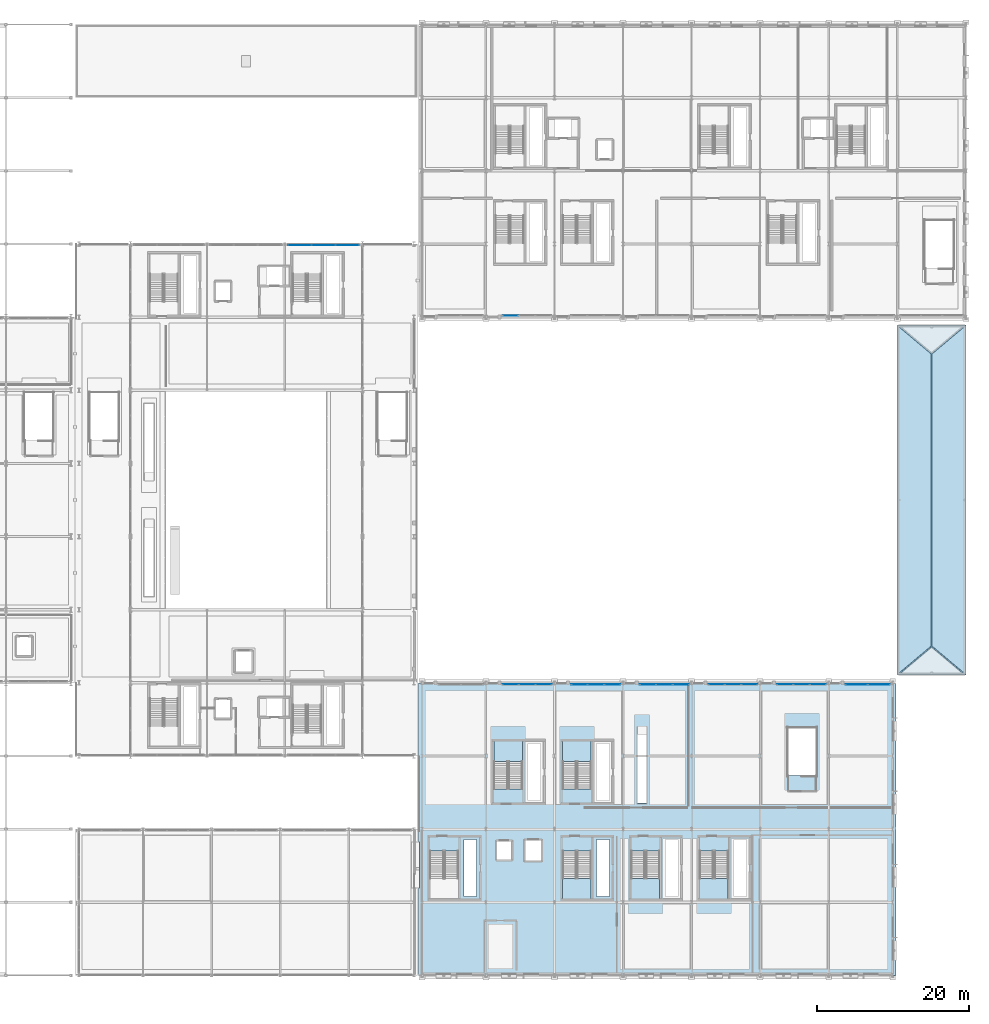
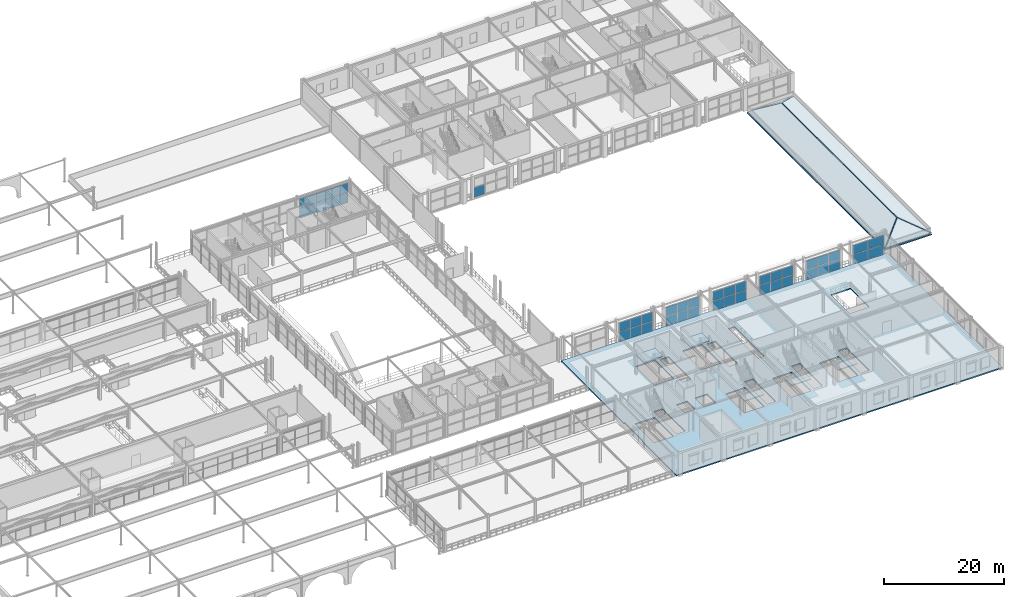
# One storey, part 63 of 125: 41 plates, 10 slabs, 13 elements without a shape of their own.
"""IFC4 building model written with IfcOpenShell, lengths in metres."""

from ifc_helpers import new_model, si_unit, direction, frame, origin, origin_2d, place, context, subcontext, project, spatial, polyline, rectangle, outline, extrude, material, layer, layer_set, type_object, element, aggregate, save


model = new_model("IFC4")

# Units and contexts
model_context = context("Model", 3, precision=1e-05, world=origin(), true_north=direction((0.0, 1.0)))
body_context = subcontext(model_context, "Body", "Model", "MODEL_VIEW")
ifc_project = project(units=[si_unit("LENGTHUNIT", "METRE"), si_unit("AREAUNIT", "SQUARE_METRE"), si_unit("VOLUMEUNIT", "CUBIC_METRE"), si_unit("PLANEANGLEUNIT", "RADIAN"), si_unit("MASSUNIT", "GRAM", prefix="KILO")], contexts=[model_context])

# Site, building, storey
site_placement = place(None, origin())
site = spatial("IfcSite", under=ifc_project, at=site_placement, CompositionType="ELEMENT")
building_placement = place(site_placement, origin())
building = spatial("IfcBuilding", under=site, at=building_placement, Name="Myrtia Square Station", CompositionType="ELEMENT")
storey_placement = place(building_placement, frame((0.0, 0.0, 6.0)))
storey = spatial("IfcBuildingStorey", under=building, at=storey_placement, Name="L01", CompositionType="ELEMENT", Elevation=6.0)

# Curtain wall, plates
ifc_material_1 = material(Name="Dark bronze anodised aluminium", Category="aluminium")
ifc_layer_1 = layer(ifc_material_1, 0.159912109375, Name="Dark bronze anodised aluminium")
ifc_layer_set_1 = layer_set([ifc_layer_1], Name="Dark bronze anodised aluminium")
curtain_wall_type_1 = type_object("IfcCurtainWallType", Name="CW-TYPE-11-943x415", PredefinedType="USERDEFINED", material=ifc_layer_set_1)
curtain_wall_1_placement = place(storey_placement, origin())
curtain_wall_1 = element("IfcCurtainWall", 1, at=curtain_wall_1_placement, inside=storey, type_object=curtain_wall_type_1, Name="Concourse curtain wall CW-L01-046", ObjectType="CONCOURSE CURTAIN WALL", PredefinedType="USERDEFINED")
ifc_material_2 = material(Name="Tinted low-E solar control glass", Category="glass")
ifc_layer_2 = layer(ifc_material_2, 0.02392578125, Name="Tinted low-E solar control glass")
ifc_layer_set_2 = layer_set([ifc_layer_2], Name="Tinted low-E solar control glass")
plate_type_1 = type_object("IfcPlateType", Name="CWP-GLZ-24", PredefinedType="CURTAIN_PANEL", material=ifc_layer_set_2)
plate_1_placement = place(storey_placement, frame((101.560302734375, 95.85009765625, 0.074951171875), z_axis=(0.0, 0.0, 1.0), x_axis=(1.0, 0.0, 0.0)))
plate_1 = element("IfcPlate", 2, at=plate_1_placement, type_object=plate_type_1, Name="CW-046 panel 1.1", PredefinedType="CURTAIN_PANEL", context=body_context, shape_type="SweptSolid", body=[
    extrude(rectangle(XDim=3.03076171875, YDim=0.02392578125, at=origin_2d()), origin(), (0.0, 0.0, 1.0), 2.04541015625),
])
plate_2_placement = place(storey_placement, frame((101.560302734375, 95.85009765625, 2.195556640625), z_axis=(0.0, 0.0, 1.0), x_axis=(1.0, 0.0, 0.0)))
plate_2 = element("IfcPlate", 3, at=plate_2_placement, type_object=plate_type_1, Name="CW-046 panel 1.2", PredefinedType="CURTAIN_PANEL", context=body_context, shape_type="SweptSolid", body=[
    extrude(rectangle(XDim=3.03076171875, YDim=0.02392578125, at=origin_2d()), origin(), (0.0, 0.0, 1.0), 1.87939453125),
])
plate_3_placement = place(storey_placement, frame((104.68505859375, 95.85009765625, 0.074951171875), z_axis=(0.0, 0.0, 1.0), x_axis=(1.0, 0.0, 0.0)))
plate_3 = element("IfcPlate", 4, at=plate_3_placement, type_object=plate_type_1, Name="CW-046 panel 2.1", PredefinedType="CURTAIN_PANEL", context=body_context, shape_type="SweptSolid", body=[
    extrude(rectangle(XDim=3.068359375, YDim=0.02392578125, at=origin_2d()), origin(), (0.0, 0.0, 1.0), 2.04541015625),
])
plate_4_placement = place(storey_placement, frame((104.68505859375, 95.85009765625, 2.195556640625), z_axis=(0.0, 0.0, 1.0), x_axis=(1.0, 0.0, 0.0)))
plate_4 = element("IfcPlate", 5, at=plate_4_placement, type_object=plate_type_1, Name="CW-046 panel 2.2", PredefinedType="CURTAIN_PANEL", context=body_context, shape_type="SweptSolid", body=[
    extrude(rectangle(XDim=3.068359375, YDim=0.02392578125, at=origin_2d()), origin(), (0.0, 0.0, 1.0), 1.87939453125),
])
plate_5_placement = place(storey_placement, frame((107.8095703125, 95.85009765625, 0.074951171875), z_axis=(0.0, 0.0, 1.0), x_axis=(1.0, 0.0, 0.0)))
plate_5 = element("IfcPlate", 6, at=plate_5_placement, type_object=plate_type_1, Name="CW-046 panel 3.1", PredefinedType="CURTAIN_PANEL", context=body_context, shape_type="SweptSolid", body=[
    extrude(rectangle(XDim=3.03076171875, YDim=0.02392578125, at=origin_2d()), origin(), (0.0, 0.0, 1.0), 2.04541015625),
])
plate_6_placement = place(storey_placement, frame((107.8095703125, 95.85009765625, 2.195556640625), z_axis=(0.0, 0.0, 1.0), x_axis=(1.0, 0.0, 0.0)))
plate_6 = element("IfcPlate", 7, at=plate_6_placement, type_object=plate_type_1, Name="CW-046 panel 3.2", PredefinedType="CURTAIN_PANEL", context=body_context, shape_type="SweptSolid", body=[
    extrude(rectangle(XDim=3.03076171875, YDim=0.02392578125, at=origin_2d()), origin(), (0.0, 0.0, 1.0), 1.87939453125),
])
aggregate(curtain_wall_1, [plate_1, plate_2, plate_3, plate_4, plate_5, plate_6])

ifc_layer_3 = layer(ifc_material_1, 0.159912109375, Name="Dark bronze anodised aluminium")
ifc_layer_set_3 = layer_set([ifc_layer_3], Name="Dark bronze anodised aluminium")
curtain_wall_type_2 = type_object("IfcCurtainWallType", Name="CW-TYPE-26-655x400", PredefinedType="USERDEFINED", material=ifc_layer_set_3)
curtain_wall_2_placement = place(storey_placement, origin())
curtain_wall_2 = element("IfcCurtainWall", 8, at=curtain_wall_2_placement, inside=storey, type_object=curtain_wall_type_2, Name="Concourse curtain wall CW-L01-094", ObjectType="CONCOURSE CURTAIN WALL", PredefinedType="USERDEFINED")
plate_7_placement = place(storey_placement, frame((156.260498046875, 38.199951171875, 0.0751953125), z_axis=(0.0, 0.0, 1.0), x_axis=(1.0, 0.0, 0.0)))
plate_7 = element("IfcPlate", 9, at=plate_7_placement, type_object=plate_type_1, Name="CW-094 panel 1.1", PredefinedType="CURTAIN_PANEL", context=body_context, shape_type="SweptSolid", body=[
    extrude(rectangle(XDim=2.07080078125, YDim=0.02392578125, at=origin_2d()), origin(), (0.0, 0.0, 1.0), 1.967529296875),
])
plate_8_placement = place(storey_placement, frame((156.260498046875, 38.199951171875, 2.117431640625), z_axis=(0.0, 0.0, 1.0), x_axis=(1.0, 0.0, 0.0)))
plate_8 = element("IfcPlate", 10, at=plate_8_placement, type_object=plate_type_1, Name="CW-094 panel 1.2", PredefinedType="CURTAIN_PANEL", context=body_context, shape_type="SweptSolid", body=[
    extrude(rectangle(XDim=2.07080078125, YDim=0.02392578125, at=origin_2d()), origin(), (0.0, 0.0, 1.0), 1.8076171875),
])
plate_9_placement = place(storey_placement, frame((158.425048828125, 38.199951171875, 0.0751953125), z_axis=(0.0, 0.0, 1.0), x_axis=(1.0, 0.0, 0.0)))
plate_9 = element("IfcPlate", 11, at=plate_9_placement, type_object=plate_type_1, Name="CW-094 panel 2.1", PredefinedType="CURTAIN_PANEL", context=body_context, shape_type="SweptSolid", body=[
    extrude(rectangle(XDim=2.1083984375, YDim=0.02392578125, at=origin_2d()), origin(), (0.0, 0.0, 1.0), 1.967529296875),
])
plate_10_placement = place(storey_placement, frame((158.425048828125, 38.199951171875, 2.117431640625), z_axis=(0.0, 0.0, 1.0), x_axis=(1.0, 0.0, 0.0)))
plate_10 = element("IfcPlate", 12, at=plate_10_placement, type_object=plate_type_1, Name="CW-094 panel 2.2", PredefinedType="CURTAIN_PANEL", context=body_context, shape_type="SweptSolid", body=[
    extrude(rectangle(XDim=2.1083984375, YDim=0.02392578125, at=origin_2d()), origin(), (0.0, 0.0, 1.0), 1.8076171875),
])
plate_11_placement = place(storey_placement, frame((160.589599609375, 38.199951171875, 0.0751953125), z_axis=(0.0, 0.0, 1.0), x_axis=(1.0, 0.0, 0.0)))
plate_11 = element("IfcPlate", 13, at=plate_11_placement, type_object=plate_type_1, Name="CW-094 panel 3.1", PredefinedType="CURTAIN_PANEL", context=body_context, shape_type="SweptSolid", body=[
    extrude(rectangle(XDim=2.07080078125, YDim=0.02392578125, at=origin_2d()), origin(), (0.0, 0.0, 1.0), 1.967529296875),
])
plate_12_placement = place(storey_placement, frame((160.589599609375, 38.199951171875, 2.117431640625), z_axis=(0.0, 0.0, 1.0), x_axis=(1.0, 0.0, 0.0)))
plate_12 = element("IfcPlate", 14, at=plate_12_placement, type_object=plate_type_1, Name="CW-094 panel 3.2", PredefinedType="CURTAIN_PANEL", context=body_context, shape_type="SweptSolid", body=[
    extrude(rectangle(XDim=2.07080078125, YDim=0.02392578125, at=origin_2d()), origin(), (0.0, 0.0, 1.0), 1.8076171875),
])
aggregate(curtain_wall_2, [plate_7, plate_8, plate_9, plate_10, plate_11, plate_12])

# Curtain wall, plate
ifc_layer_4 = layer(ifc_material_1, 0.159912109375, Name="Dark bronze anodised aluminium")
ifc_layer_set_4 = layer_set([ifc_layer_4], Name="Dark bronze anodised aluminium")
curtain_wall_type_3 = type_object("IfcCurtainWallType", Name="CW-TYPE-39-650x400", PredefinedType="USERDEFINED", material=ifc_layer_set_4)
curtain_wall_3_placement = place(storey_placement, origin())
curtain_wall_3 = element("IfcCurtainWall", 15, at=curtain_wall_3_placement, inside=storey, type_object=curtain_wall_type_3, Name="Concourse curtain wall CW-L01-118", ObjectType="CONCOURSE CURTAIN WALL", PredefinedType="USERDEFINED")
plate_13_placement = place(storey_placement, frame((129.252197265625, 86.60009765625, 0.0751953125), z_axis=(0.0, 0.0, 1.0), x_axis=(1.0, 0.0, 0.0)))
plate_13 = element("IfcPlate", 16, at=plate_13_placement, type_object=plate_type_1, Name="CW-118 panel 1.1", PredefinedType="CURTAIN_PANEL", context=body_context, shape_type="SweptSolid", body=[
    extrude(rectangle(XDim=2.05419921875, YDim=0.02392578125, at=origin_2d()), origin(), (0.0, 0.0, 1.0), 1.967529296875),
])
aggregate(curtain_wall_3, [plate_13])

# Curtain wall, plates
curtain_wall_4_placement = place(storey_placement, origin())
curtain_wall_4 = element("IfcCurtainWall", 17, at=curtain_wall_4_placement, inside=storey, type_object=curtain_wall_type_2, Name="Concourse curtain wall CW-L01-091", ObjectType="CONCOURSE CURTAIN WALL", PredefinedType="USERDEFINED")
ifc_layer_5 = layer(ifc_material_2, 0.028076171875, Name="Tinted low-E solar control glass")
ifc_layer_set_5 = layer_set([ifc_layer_5], Name="Tinted low-E solar control glass")
plate_type_2 = type_object("IfcPlateType", Name="CWP-GLZ-28", PredefinedType="CURTAIN_PANEL", material=ifc_layer_set_5)
plate_14_placement = place(storey_placement, frame((129.260498046875, 38.199951171875, 0.0751953125), z_axis=(0.0, 0.0, 1.0), x_axis=(1.0, 0.0, 0.0)))
plate_14 = element("IfcPlate", 18, at=plate_14_placement, type_object=plate_type_2, Name="CW-091 panel 1.1", PredefinedType="CURTAIN_PANEL", context=body_context, shape_type="SweptSolid", body=[
    extrude(rectangle(XDim=2.07080078125, YDim=0.028076171875, at=origin_2d()), origin(), (0.0, 0.0, 1.0), 1.967529296875),
])
plate_15_placement = place(storey_placement, frame((129.260498046875, 38.199951171875, 2.117431640625), z_axis=(0.0, 0.0, 1.0), x_axis=(1.0, 0.0, 0.0)))
plate_15 = element("IfcPlate", 19, at=plate_15_placement, type_object=plate_type_2, Name="CW-091 panel 1.2", PredefinedType="CURTAIN_PANEL", context=body_context, shape_type="SweptSolid", body=[
    extrude(rectangle(XDim=2.07080078125, YDim=0.028076171875, at=origin_2d()), origin(), (0.0, 0.0, 1.0), 1.8076171875),
])
plate_16_placement = place(storey_placement, frame((131.425048828125, 38.199951171875, 0.0751953125), z_axis=(0.0, 0.0, 1.0), x_axis=(1.0, 0.0, 0.0)))
plate_16 = element("IfcPlate", 20, at=plate_16_placement, type_object=plate_type_2, Name="CW-091 panel 2.1", PredefinedType="CURTAIN_PANEL", context=body_context, shape_type="SweptSolid", body=[
    extrude(rectangle(XDim=2.1083984375, YDim=0.028076171875, at=origin_2d()), origin(), (0.0, 0.0, 1.0), 1.967529296875),
])
plate_17_placement = place(storey_placement, frame((131.425048828125, 38.199951171875, 2.117431640625), z_axis=(0.0, 0.0, 1.0), x_axis=(1.0, 0.0, 0.0)))
plate_17 = element("IfcPlate", 21, at=plate_17_placement, type_object=plate_type_2, Name="CW-091 panel 2.2", PredefinedType="CURTAIN_PANEL", context=body_context, shape_type="SweptSolid", body=[
    extrude(rectangle(XDim=2.1083984375, YDim=0.028076171875, at=origin_2d()), origin(), (0.0, 0.0, 1.0), 1.8076171875),
])
plate_18_placement = place(storey_placement, frame((133.589599609375, 38.199951171875, 0.0751953125), z_axis=(0.0, 0.0, 1.0), x_axis=(1.0, 0.0, 0.0)))
plate_18 = element("IfcPlate", 22, at=plate_18_placement, type_object=plate_type_2, Name="CW-091 panel 3.1", PredefinedType="CURTAIN_PANEL", context=body_context, shape_type="SweptSolid", body=[
    extrude(rectangle(XDim=2.07080078125, YDim=0.028076171875, at=origin_2d()), origin(), (0.0, 0.0, 1.0), 1.967529296875),
])
plate_19_placement = place(storey_placement, frame((133.589599609375, 38.199951171875, 2.117431640625), z_axis=(0.0, 0.0, 1.0), x_axis=(1.0, 0.0, 0.0)))
plate_19 = element("IfcPlate", 23, at=plate_19_placement, type_object=plate_type_2, Name="CW-091 panel 3.2", PredefinedType="CURTAIN_PANEL", context=body_context, shape_type="SweptSolid", body=[
    extrude(rectangle(XDim=2.07080078125, YDim=0.028076171875, at=origin_2d()), origin(), (0.0, 0.0, 1.0), 1.8076171875),
])
aggregate(curtain_wall_4, [plate_14, plate_15, plate_16, plate_17, plate_18, plate_19])

curtain_wall_5_placement = place(storey_placement, origin())
curtain_wall_5 = element("IfcCurtainWall", 24, at=curtain_wall_5_placement, inside=storey, type_object=curtain_wall_type_2, Name="Concourse curtain wall CW-L01-095", ObjectType="CONCOURSE CURTAIN WALL", PredefinedType="USERDEFINED")
plate_20_placement = place(storey_placement, frame((165.260498046875, 38.199951171875, 0.0751953125), z_axis=(0.0, 0.0, 1.0), x_axis=(1.0, 0.0, 0.0)))
plate_20 = element("IfcPlate", 25, at=plate_20_placement, type_object=plate_type_2, Name="CW-095 panel 1.1", PredefinedType="CURTAIN_PANEL", context=body_context, shape_type="SweptSolid", body=[
    extrude(rectangle(XDim=2.07080078125, YDim=0.028076171875, at=origin_2d()), origin(), (0.0, 0.0, 1.0), 1.967529296875),
])
plate_21_placement = place(storey_placement, frame((165.260498046875, 38.199951171875, 2.117431640625), z_axis=(0.0, 0.0, 1.0), x_axis=(1.0, 0.0, 0.0)))
plate_21 = element("IfcPlate", 26, at=plate_21_placement, type_object=plate_type_2, Name="CW-095 panel 1.2", PredefinedType="CURTAIN_PANEL", context=body_context, shape_type="SweptSolid", body=[
    extrude(rectangle(XDim=2.07080078125, YDim=0.028076171875, at=origin_2d()), origin(), (0.0, 0.0, 1.0), 1.8076171875),
])
plate_22_placement = place(storey_placement, frame((167.425048828125, 38.199951171875, 0.0751953125), z_axis=(0.0, 0.0, 1.0), x_axis=(1.0, 0.0, 0.0)))
plate_22 = element("IfcPlate", 27, at=plate_22_placement, type_object=plate_type_2, Name="CW-095 panel 2.1", PredefinedType="CURTAIN_PANEL", context=body_context, shape_type="SweptSolid", body=[
    extrude(rectangle(XDim=2.1083984375, YDim=0.028076171875, at=origin_2d()), origin(), (0.0, 0.0, 1.0), 1.967529296875),
])
plate_23_placement = place(storey_placement, frame((167.425048828125, 38.199951171875, 2.117431640625), z_axis=(0.0, 0.0, 1.0), x_axis=(1.0, 0.0, 0.0)))
plate_23 = element("IfcPlate", 28, at=plate_23_placement, type_object=plate_type_2, Name="CW-095 panel 2.2", PredefinedType="CURTAIN_PANEL", context=body_context, shape_type="SweptSolid", body=[
    extrude(rectangle(XDim=2.1083984375, YDim=0.028076171875, at=origin_2d()), origin(), (0.0, 0.0, 1.0), 1.8076171875),
])
plate_24_placement = place(storey_placement, frame((169.589599609375, 38.199951171875, 0.0751953125), z_axis=(0.0, 0.0, 1.0), x_axis=(1.0, 0.0, 0.0)))
plate_24 = element("IfcPlate", 29, at=plate_24_placement, type_object=plate_type_2, Name="CW-095 panel 3.1", PredefinedType="CURTAIN_PANEL", context=body_context, shape_type="SweptSolid", body=[
    extrude(rectangle(XDim=2.07080078125, YDim=0.028076171875, at=origin_2d()), origin(), (0.0, 0.0, 1.0), 1.967529296875),
])
plate_25_placement = place(storey_placement, frame((169.589599609375, 38.199951171875, 2.117431640625), z_axis=(0.0, 0.0, 1.0), x_axis=(1.0, 0.0, 0.0)))
plate_25 = element("IfcPlate", 30, at=plate_25_placement, type_object=plate_type_2, Name="CW-095 panel 3.2", PredefinedType="CURTAIN_PANEL", context=body_context, shape_type="SweptSolid", body=[
    extrude(rectangle(XDim=2.07080078125, YDim=0.028076171875, at=origin_2d()), origin(), (0.0, 0.0, 1.0), 1.8076171875),
])
aggregate(curtain_wall_5, [plate_20, plate_21, plate_22, plate_23, plate_24, plate_25])

curtain_wall_6_placement = place(storey_placement, origin())
curtain_wall_6 = element("IfcCurtainWall", 31, at=curtain_wall_6_placement, inside=storey, type_object=curtain_wall_type_2, Name="Concourse curtain wall CW-L01-092", ObjectType="CONCOURSE CURTAIN WALL", PredefinedType="USERDEFINED")
ifc_layer_6 = layer(ifc_material_2, 0.031982421875, Name="Tinted low-E solar control glass")
ifc_layer_set_6 = layer_set([ifc_layer_6], Name="Tinted low-E solar control glass")
plate_type_3 = type_object("IfcPlateType", Name="CWP-GLZ-32", PredefinedType="CURTAIN_PANEL", material=ifc_layer_set_6)
plate_26_placement = place(storey_placement, frame((138.260498046875, 38.199951171875, 0.0751953125), z_axis=(0.0, 0.0, 1.0), x_axis=(1.0, 0.0, 0.0)))
plate_26 = element("IfcPlate", 32, at=plate_26_placement, type_object=plate_type_3, Name="CW-092 panel 1.1", PredefinedType="CURTAIN_PANEL", context=body_context, shape_type="SweptSolid", body=[
    extrude(rectangle(XDim=2.07080078125, YDim=0.031982421875, at=origin_2d()), origin(), (0.0, 0.0, 1.0), 1.967529296875),
])
plate_27_placement = place(storey_placement, frame((138.260498046875, 38.199951171875, 2.117431640625), z_axis=(0.0, 0.0, 1.0), x_axis=(1.0, 0.0, 0.0)))
plate_27 = element("IfcPlate", 33, at=plate_27_placement, type_object=plate_type_3, Name="CW-092 panel 1.2", PredefinedType="CURTAIN_PANEL", context=body_context, shape_type="SweptSolid", body=[
    extrude(rectangle(XDim=2.07080078125, YDim=0.031982421875, at=origin_2d()), origin(), (0.0, 0.0, 1.0), 1.8076171875),
])
plate_28_placement = place(storey_placement, frame((140.425048828125, 38.199951171875, 0.0751953125), z_axis=(0.0, 0.0, 1.0), x_axis=(1.0, 0.0, 0.0)))
plate_28 = element("IfcPlate", 34, at=plate_28_placement, type_object=plate_type_3, Name="CW-092 panel 2.1", PredefinedType="CURTAIN_PANEL", context=body_context, shape_type="SweptSolid", body=[
    extrude(rectangle(XDim=2.1083984375, YDim=0.031982421875, at=origin_2d()), origin(), (0.0, 0.0, 1.0), 1.967529296875),
])
plate_29_placement = place(storey_placement, frame((140.425048828125, 38.199951171875, 2.117431640625), z_axis=(0.0, 0.0, 1.0), x_axis=(1.0, 0.0, 0.0)))
plate_29 = element("IfcPlate", 35, at=plate_29_placement, type_object=plate_type_3, Name="CW-092 panel 2.2", PredefinedType="CURTAIN_PANEL", context=body_context, shape_type="SweptSolid", body=[
    extrude(rectangle(XDim=2.1083984375, YDim=0.031982421875, at=origin_2d()), origin(), (0.0, 0.0, 1.0), 1.8076171875),
])
plate_30_placement = place(storey_placement, frame((142.589599609375, 38.199951171875, 0.0751953125), z_axis=(0.0, 0.0, 1.0), x_axis=(1.0, 0.0, 0.0)))
plate_30 = element("IfcPlate", 36, at=plate_30_placement, type_object=plate_type_3, Name="CW-092 panel 3.1", PredefinedType="CURTAIN_PANEL", context=body_context, shape_type="SweptSolid", body=[
    extrude(rectangle(XDim=2.07080078125, YDim=0.031982421875, at=origin_2d()), origin(), (0.0, 0.0, 1.0), 1.967529296875),
])
plate_31_placement = place(storey_placement, frame((142.589599609375, 38.199951171875, 2.117431640625), z_axis=(0.0, 0.0, 1.0), x_axis=(1.0, 0.0, 0.0)))
plate_31 = element("IfcPlate", 37, at=plate_31_placement, type_object=plate_type_3, Name="CW-092 panel 3.2", PredefinedType="CURTAIN_PANEL", context=body_context, shape_type="SweptSolid", body=[
    extrude(rectangle(XDim=2.07080078125, YDim=0.031982421875, at=origin_2d()), origin(), (0.0, 0.0, 1.0), 1.8076171875),
])
aggregate(curtain_wall_6, [plate_26, plate_27, plate_28, plate_29, plate_30, plate_31])

ifc_layer_7 = layer(ifc_material_1, 0.159912109375, Name="Dark bronze anodised aluminium")
ifc_layer_set_7 = layer_set([ifc_layer_7], Name="Dark bronze anodised aluminium")
curtain_wall_type_4 = type_object("IfcCurtainWallType", Name="CW-TYPE-25-595x400", PredefinedType="USERDEFINED", material=ifc_layer_set_7)
curtain_wall_7_placement = place(storey_placement, origin())
curtain_wall_7 = element("IfcCurtainWall", 38, at=curtain_wall_7_placement, inside=storey, type_object=curtain_wall_type_4, Name="Concourse curtain wall CW-L01-096", ObjectType="CONCOURSE CURTAIN WALL", PredefinedType="USERDEFINED")
plate_32_placement = place(storey_placement, frame((174.65625, 38.199951171875, 0.0751953125), z_axis=(0.0, 0.0, 1.0), x_axis=(1.0, 0.0, 0.0)))
plate_32 = element("IfcPlate", 39, at=plate_32_placement, type_object=plate_type_3, Name="CW-096 panel 1.1", PredefinedType="CURTAIN_PANEL", context=body_context, shape_type="SweptSolid", body=[
    extrude(rectangle(XDim=2.862548828125, YDim=0.031982421875, at=origin_2d()), origin(), (0.0, 0.0, 1.0), 1.967529296875),
])
plate_33_placement = place(storey_placement, frame((174.65625, 38.199951171875, 2.117431640625), z_axis=(0.0, 0.0, 1.0), x_axis=(1.0, 0.0, 0.0)))
plate_33 = element("IfcPlate", 40, at=plate_33_placement, type_object=plate_type_3, Name="CW-096 panel 1.2", PredefinedType="CURTAIN_PANEL", context=body_context, shape_type="SweptSolid", body=[
    extrude(rectangle(XDim=2.862548828125, YDim=0.031982421875, at=origin_2d()), origin(), (0.0, 0.0, 1.0), 1.8076171875),
])
plate_34_placement = place(storey_placement, frame((177.59375, 38.199951171875, 0.0751953125), z_axis=(0.0, 0.0, 1.0), x_axis=(1.0, 0.0, 0.0)))
plate_34 = element("IfcPlate", 41, at=plate_34_placement, type_object=plate_type_3, Name="CW-096 panel 2.1", PredefinedType="CURTAIN_PANEL", context=body_context, shape_type="SweptSolid", body=[
    extrude(rectangle(XDim=2.862548828125, YDim=0.031982421875, at=origin_2d()), origin(), (0.0, 0.0, 1.0), 1.967529296875),
])
plate_35_placement = place(storey_placement, frame((177.59375, 38.199951171875, 2.117431640625), z_axis=(0.0, 0.0, 1.0), x_axis=(1.0, 0.0, 0.0)))
plate_35 = element("IfcPlate", 42, at=plate_35_placement, type_object=plate_type_3, Name="CW-096 panel 2.2", PredefinedType="CURTAIN_PANEL", context=body_context, shape_type="SweptSolid", body=[
    extrude(rectangle(XDim=2.862548828125, YDim=0.031982421875, at=origin_2d()), origin(), (0.0, 0.0, 1.0), 1.8076171875),
])
aggregate(curtain_wall_7, [plate_32, plate_33, plate_34, plate_35])

curtain_wall_8_placement = place(storey_placement, origin())
curtain_wall_8 = element("IfcCurtainWall", 43, at=curtain_wall_8_placement, inside=storey, type_object=curtain_wall_type_2, Name="Concourse curtain wall CW-L01-093", ObjectType="CONCOURSE CURTAIN WALL", PredefinedType="USERDEFINED")
ifc_layer_8 = layer(ifc_material_2, 0.035888671875, Name="Tinted low-E solar control glass")
ifc_layer_set_8 = layer_set([ifc_layer_8], Name="Tinted low-E solar control glass")
plate_type_4 = type_object("IfcPlateType", Name="CWP-GLZ-36", PredefinedType="CURTAIN_PANEL", material=ifc_layer_set_8)
plate_36_placement = place(storey_placement, frame((147.260498046875, 38.199951171875, 0.0751953125), z_axis=(0.0, 0.0, 1.0), x_axis=(1.0, 0.0, 0.0)))
plate_36 = element("IfcPlate", 44, at=plate_36_placement, type_object=plate_type_4, Name="CW-093 panel 1.1", PredefinedType="CURTAIN_PANEL", context=body_context, shape_type="SweptSolid", body=[
    extrude(rectangle(XDim=2.07080078125, YDim=0.035888671875, at=origin_2d()), origin(), (0.0, 0.0, 1.0), 1.967529296875),
])
plate_37_placement = place(storey_placement, frame((147.260498046875, 38.199951171875, 2.117431640625), z_axis=(0.0, 0.0, 1.0), x_axis=(1.0, 0.0, 0.0)))
plate_37 = element("IfcPlate", 45, at=plate_37_placement, type_object=plate_type_4, Name="CW-093 panel 1.2", PredefinedType="CURTAIN_PANEL", context=body_context, shape_type="SweptSolid", body=[
    extrude(rectangle(XDim=2.07080078125, YDim=0.035888671875, at=origin_2d()), origin(), (0.0, 0.0, 1.0), 1.8076171875),
])
plate_38_placement = place(storey_placement, frame((149.425048828125, 38.199951171875, 0.0751953125), z_axis=(0.0, 0.0, 1.0), x_axis=(1.0, 0.0, 0.0)))
plate_38 = element("IfcPlate", 46, at=plate_38_placement, type_object=plate_type_4, Name="CW-093 panel 2.1", PredefinedType="CURTAIN_PANEL", context=body_context, shape_type="SweptSolid", body=[
    extrude(rectangle(XDim=2.1083984375, YDim=0.035888671875, at=origin_2d()), origin(), (0.0, 0.0, 1.0), 1.967529296875),
])
plate_39_placement = place(storey_placement, frame((149.425048828125, 38.199951171875, 2.117431640625), z_axis=(0.0, 0.0, 1.0), x_axis=(1.0, 0.0, 0.0)))
plate_39 = element("IfcPlate", 47, at=plate_39_placement, type_object=plate_type_4, Name="CW-093 panel 2.2", PredefinedType="CURTAIN_PANEL", context=body_context, shape_type="SweptSolid", body=[
    extrude(rectangle(XDim=2.1083984375, YDim=0.035888671875, at=origin_2d()), origin(), (0.0, 0.0, 1.0), 1.8076171875),
])
plate_40_placement = place(storey_placement, frame((151.589599609375, 38.199951171875, 0.0751953125), z_axis=(0.0, 0.0, 1.0), x_axis=(1.0, 0.0, 0.0)))
plate_40 = element("IfcPlate", 48, at=plate_40_placement, type_object=plate_type_4, Name="CW-093 panel 3.1", PredefinedType="CURTAIN_PANEL", context=body_context, shape_type="SweptSolid", body=[
    extrude(rectangle(XDim=2.07080078125, YDim=0.035888671875, at=origin_2d()), origin(), (0.0, 0.0, 1.0), 1.967529296875),
])
plate_41_placement = place(storey_placement, frame((151.589599609375, 38.199951171875, 2.117431640625), z_axis=(0.0, 0.0, 1.0), x_axis=(1.0, 0.0, 0.0)))
plate_41 = element("IfcPlate", 49, at=plate_41_placement, type_object=plate_type_4, Name="CW-093 panel 3.2", PredefinedType="CURTAIN_PANEL", context=body_context, shape_type="SweptSolid", body=[
    extrude(rectangle(XDim=2.07080078125, YDim=0.035888671875, at=origin_2d()), origin(), (0.0, 0.0, 1.0), 1.8076171875),
])
aggregate(curtain_wall_8, [plate_36, plate_37, plate_38, plate_39, plate_40, plate_41])

# Slabs
ifc_material_3 = material(Name="Concrete C35/45", Category="concrete")
ifc_layer_9 = layer(ifc_material_3, 0.25, Name="Concrete C35/45")
ifc_layer_set_9 = layer_set([ifc_layer_9], Name="Concrete C35/45")
slab_type_1 = type_object("IfcSlabType", Name="SLB-FLR-250", PredefinedType="FLOOR", material=ifc_layer_set_9)
slab_1_placement = place(storey_placement, frame((0.0, 0.0, -0.25)))
element("IfcSlab", 50, at=slab_1_placement, inside=storey, type_object=slab_type_1, Name="Structural floor slab SLB-L01-V4E", PredefinedType="FLOOR", context=body_context, shape_type="SweptSolid", body=[
    extrude(outline(polyline([(117.14990234375, 0.0), (179.85009765625, 0.0), (179.85009765625, 38.39990234375), (117.14990234375, 38.39990234375), (117.14990234375, 17.510009765625), (117.31005859375, 17.510009765625), (117.31005859375, 11.489990234375), (117.14990234375, 11.489990234375), (117.14990234375, 0.0)]), holes=[polyline([(123.14990234375, 10.35009765625), (123.14990234375, 17.85009765625), (124.800048828125, 17.85009765625), (124.800048828125, 10.35009765625), (123.14990234375, 10.35009765625)]), polyline([(140.550048828125, 10.35009765625), (140.550048828125, 17.85009765625), (142.199951171875, 17.85009765625), (142.199951171875, 10.35009765625), (140.550048828125, 10.35009765625)]), polyline([(140.550048828125, 22.949951171875), (140.550048828125, 30.449951171875), (142.199951171875, 30.449951171875), (142.199951171875, 22.949951171875), (140.550048828125, 22.949951171875)]), polyline([(131.550048828125, 22.949951171875), (131.550048828125, 30.449951171875), (133.199951171875, 30.449951171875), (133.199951171875, 22.949951171875), (131.550048828125, 22.949951171875)]), polyline([(149.550048828125, 10.35009765625), (149.550048828125, 17.85009765625), (151.199951171875, 17.85009765625), (151.199951171875, 10.35009765625), (149.550048828125, 10.35009765625)]), polyline([(158.550048828125, 10.35009765625), (158.550048828125, 17.85009765625), (160.199951171875, 17.85009765625), (160.199951171875, 10.35009765625), (158.550048828125, 10.35009765625)]), polyline([(118.64990234375, 10.050048828125), (118.64990234375, 16.320068359375), (122.409912109375, 16.320068359375), (122.409912109375, 10.050048828125), (118.64990234375, 10.050048828125)]), polyline([(136.050048828125, 10.050048828125), (136.050048828125, 16.320068359375), (139.81005859375, 16.320068359375), (139.81005859375, 10.050048828125), (136.050048828125, 10.050048828125)]), polyline([(136.050048828125, 24.47998046875), (136.050048828125, 30.75), (139.81005859375, 30.75), (139.81005859375, 24.47998046875), (136.050048828125, 24.47998046875)]), polyline([(127.050048828125, 24.47998046875), (127.050048828125, 30.75), (130.81005859375, 30.75), (130.81005859375, 24.47998046875), (127.050048828125, 24.47998046875)]), polyline([(145.050048828125, 10.050048828125), (145.050048828125, 16.320068359375), (148.81005859375, 16.320068359375), (148.81005859375, 10.050048828125), (145.050048828125, 10.050048828125)]), polyline([(154.050048828125, 10.050048828125), (154.050048828125, 16.320068359375), (157.81005859375, 16.320068359375), (157.81005859375, 10.050048828125), (154.050048828125, 10.050048828125)]), polyline([(165.639892578125, 26.22998046875), (165.639892578125, 32.5), (169.39990234375, 32.5), (169.39990234375, 26.22998046875), (165.639892578125, 26.22998046875)]), polyline([(127.35009765625, 15.10009765625), (127.35009765625, 17.699951171875), (129.449951171875, 17.699951171875), (129.449951171875, 15.10009765625), (127.35009765625, 15.10009765625)]), polyline([(131.050048828125, 14.949951171875), (131.050048828125, 17.85009765625), (133.35009765625, 17.85009765625), (133.35009765625, 14.949951171875), (131.050048828125, 14.949951171875)]), polyline([(145.889892578125, 22.60009765625), (145.889892578125, 32.5), (147.110107421875, 32.5), (147.110107421875, 22.60009765625), (145.889892578125, 22.60009765625)])]), origin(), (0.0, 0.0, 1.0), 0.25),
])
ifc_layer_10 = layer(ifc_material_3, 0.18505859375, Name="Concrete C35/45")
ifc_layer_set_10 = layer_set([ifc_layer_10], Name="Concrete C35/45")
slab_type_2 = type_object("IfcSlabType", Name="SLB-HIP-185", PredefinedType="ROOF", material=ifc_layer_set_10)
slab_2_placement = place(storey_placement, frame((180.0, 85.2890625, 0.19189453125), z_axis=(-0.477878484805, 0.0, 0.878425952349), x_axis=(0.0, -1.0, 0.0)))
element("IfcSlab", 51, at=slab_2_placement, inside=storey, type_object=slab_type_2, Name="Spanish terracotta hipped roof HIP-V3 W", PredefinedType="ROOF", context=body_context, shape_type="SweptSolid", body=[
    extrude(outline(polyline([(0.0, 0.0), (45.778076171875, 0.0), (42.069580078125, 5.026079945262029), (3.708740234375, 5.026079945262029), (0.0, 0.0)])), origin(), (0.0, 0.0, -1.0), 0.18505859375),
])
slab_3_placement = place(storey_placement, frame((189.0, 39.510986328125, 0.19189453125), z_axis=(0.477878484805, 0.0, 0.878425952349), x_axis=(0.0, 1.0, 0.0)))
element("IfcSlab", 52, at=slab_3_placement, inside=storey, type_object=slab_type_2, Name="Spanish terracotta hipped roof HIP-V3 E", PredefinedType="ROOF", context=body_context, shape_type="SweptSolid", body=[
    extrude(outline(polyline([(0.0, 0.0), (45.778076171875, 0.0), (42.0693359375, 5.026079945262029), (3.70849609375, 5.026079945262029), (0.0, 0.0)])), origin(), (0.0, 0.0, -1.0), 0.18505859375),
])
slab_4_placement = place(storey_placement, frame((180.132080078125, 39.39990234375, 0.19189453125), z_axis=(0.0, -0.543580065562, 0.839357321004), x_axis=(1.0, 0.0, 0.0)))
element("IfcSlab", 53, at=slab_4_placement, inside=storey, type_object=slab_type_2, Name="Spanish terracotta hipped roof HIP-V3 S", PredefinedType="ROOF", context=body_context, shape_type="SweptSolid", body=[
    extrude(outline(polyline([(0.0, 0.0), (8.73583984375, 0.0), (4.367919921875, 4.371427235226912), (0.0, 0.0)])), origin(), (0.0, 0.0, -1.0), 0.18505859375),
])

# Stair, slab
stair_type = type_object("IfcStairType", Name="STR-03-28R-1800W", PredefinedType="HALF_TURN_STAIR", material=ifc_material_3)
stair_1_placement = place(storey_placement, origin())
stair_1 = element("IfcStair", 54, at=stair_1_placement, inside=storey, type_object=stair_type, Name="L01 Core escape stair ST06", PredefinedType="HALF_TURN_STAIR")
ifc_layer_11 = layer(ifc_material_3, 0.199951171875, Name="Concrete C35/45")
ifc_layer_set_11 = layer_set([ifc_layer_11], Name="Concrete C35/45")
slab_type_3 = type_object("IfcSlabType", Name="SLB-LAND-200", PredefinedType="LANDING", material=ifc_layer_set_11)
slab_5_placement = place(storey_placement, frame((0.0, 0.0, 2.199951171875)))
slab_5 = element("IfcSlab", 55, at=slab_5_placement, type_object=slab_type_3, Name="ST06 landing 1", PredefinedType="LANDING", context=body_context, shape_type="SweptSolid", body=[
    extrude(outline(polyline([(136.050048828125, 12.7099609375), (136.050048828125, 10.050048828125), (139.81005859375, 10.050048828125), (139.81005859375, 12.7099609375), (136.050048828125, 12.7099609375)])), origin(), (0.0, 0.0, 1.0), 0.199951171875),
])
aggregate(stair_1, [slab_5])

stair_2_placement = place(storey_placement, origin())
stair_2 = element("IfcStair", 56, at=stair_2_placement, inside=storey, type_object=stair_type, Name="L01 Core escape stair ST09", PredefinedType="HALF_TURN_STAIR")
slab_6_placement = place(storey_placement, frame((0.0, 0.0, 2.199951171875)))
slab_6 = element("IfcSlab", 57, at=slab_6_placement, type_object=slab_type_3, Name="ST09 landing 1", PredefinedType="LANDING", context=body_context, shape_type="SweptSolid", body=[
    extrude(outline(polyline([(139.81005859375, 28.090087890625), (139.81005859375, 30.75), (136.050048828125, 30.75), (136.050048828125, 28.090087890625), (139.81005859375, 28.090087890625)])), origin(), (0.0, 0.0, 1.0), 0.199951171875),
])
aggregate(stair_2, [slab_6])

stair_3_placement = place(storey_placement, origin())
stair_3 = element("IfcStair", 58, at=stair_3_placement, inside=storey, type_object=stair_type, Name="L01 Core escape stair ST10", PredefinedType="HALF_TURN_STAIR")
slab_7_placement = place(storey_placement, frame((0.0, 0.0, 2.199951171875)))
slab_7 = element("IfcSlab", 59, at=slab_7_placement, type_object=slab_type_3, Name="ST10 landing 1", PredefinedType="LANDING", context=body_context, shape_type="SweptSolid", body=[
    extrude(outline(polyline([(130.81005859375, 28.090087890625), (130.81005859375, 30.75), (127.050048828125, 30.75), (127.050048828125, 28.090087890625), (130.81005859375, 28.090087890625)])), origin(), (0.0, 0.0, 1.0), 0.199951171875),
])
aggregate(stair_3, [slab_7])

stair_4_placement = place(storey_placement, origin())
stair_4 = element("IfcStair", 60, at=stair_4_placement, inside=storey, type_object=stair_type, Name="L01 Core escape stair ST11", PredefinedType="HALF_TURN_STAIR")
slab_8_placement = place(storey_placement, frame((0.0, 0.0, 2.199951171875)))
slab_8 = element("IfcSlab", 61, at=slab_8_placement, type_object=slab_type_3, Name="ST11 landing 1", PredefinedType="LANDING", context=body_context, shape_type="SweptSolid", body=[
    extrude(outline(polyline([(145.050048828125, 12.7099609375), (145.050048828125, 10.050048828125), (148.81005859375, 10.050048828125), (148.81005859375, 12.7099609375), (145.050048828125, 12.7099609375)])), origin(), (0.0, 0.0, 1.0), 0.199951171875),
])
aggregate(stair_4, [slab_8])

stair_5_placement = place(storey_placement, origin())
stair_5 = element("IfcStair", 62, at=stair_5_placement, inside=storey, type_object=stair_type, Name="L01 Core escape stair ST14", PredefinedType="HALF_TURN_STAIR")
slab_9_placement = place(storey_placement, frame((0.0, 0.0, 2.199951171875)))
slab_9 = element("IfcSlab", 63, at=slab_9_placement, type_object=slab_type_3, Name="ST14 landing 1", PredefinedType="LANDING", context=body_context, shape_type="SweptSolid", body=[
    extrude(outline(polyline([(154.050048828125, 12.7099609375), (154.050048828125, 10.050048828125), (157.81005859375, 10.050048828125), (157.81005859375, 12.7099609375), (154.050048828125, 12.7099609375)])), origin(), (0.0, 0.0, 1.0), 0.199951171875),
])
aggregate(stair_5, [slab_9])

# Slab
ifc_layer_12 = layer(ifc_material_3, 0.235107421875, Name="Concrete C35/45")
ifc_layer_set_12 = layer_set([ifc_layer_12], Name="Concrete C35/45")
slab_type_4 = type_object("IfcSlabType", Name="SLB-ROOF-235", PredefinedType="ROOF", material=ifc_layer_set_12)
slab_10_placement = place(storey_placement, frame((0.0, 0.0, -0.235107421875)))
element("IfcSlab", 64, at=slab_10_placement, inside=storey, type_object=slab_type_4, Name="Flat roof deck ROOF-L01-V3", PredefinedType="ROOF", context=body_context, shape_type="SweptSolid", body=[
    extrude(outline(polyline([(180.0, 39.39990234375), (189.0, 39.39990234375), (189.0, 85.39990234375), (180.0, 85.39990234375), (180.0, 39.39990234375)])), origin(), (0.0, 0.0, 1.0), 0.235107421875),
])

save(model, "model.ifc")
